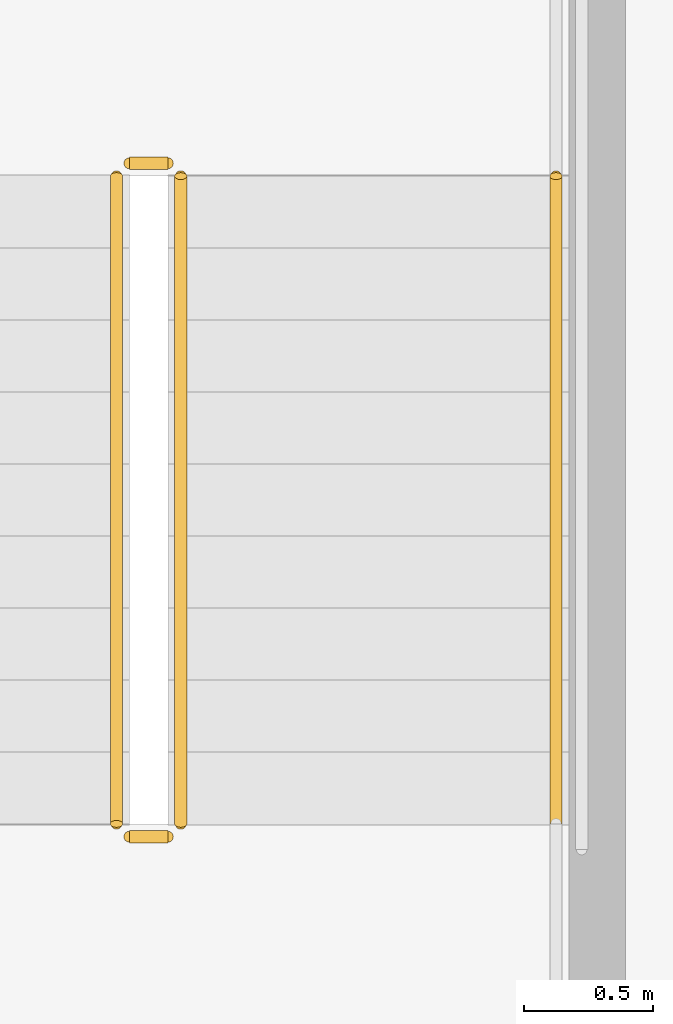
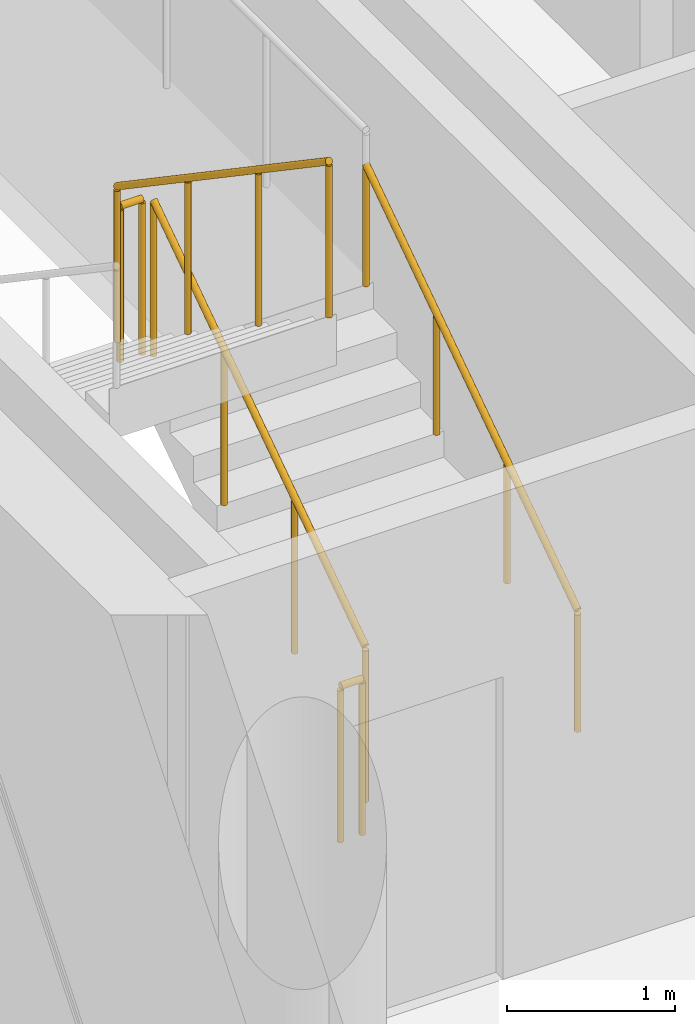
# One storey, part 14 of 16: 5 railings.
"""IFC4 building model written with IfcOpenShell, lengths in metres."""

from ifc_helpers import new_model, si_unit, direction, frame, origin, origin_2d, place, context, subcontext, project, spatial, circle, extrude, material, type_object, element, save


model = new_model("IFC4")

# Units and contexts
model_context = context("Model", 3, precision=1e-05, world=origin(), true_north=direction((0.0, 1.0)))
body_context = subcontext(model_context, "Body", "Model", "MODEL_VIEW")
ifc_project = project(units=[si_unit("LENGTHUNIT", "METRE"), si_unit("AREAUNIT", "SQUARE_METRE"), si_unit("VOLUMEUNIT", "CUBIC_METRE"), si_unit("PLANEANGLEUNIT", "RADIAN"), si_unit("MASSUNIT", "GRAM", prefix="KILO")], contexts=[model_context])

# Site, building, storey
site_placement = place(None, origin())
site = spatial("IfcSite", under=ifc_project, at=site_placement, CompositionType="ELEMENT")
building_placement = place(site_placement, origin())
building = spatial("IfcBuilding", under=site, at=building_placement, Name="Khairoan Windgate Tower", CompositionType="ELEMENT")
storey_placement = place(building_placement, frame((0.0, 0.0, 277.60009765625)))
storey = spatial("IfcBuildingStorey", under=building, at=storey_placement, Name="L66", CompositionType="ELEMENT", Elevation=277.60009765625)

# Railings
ifc_material_1 = material(Name="Anodised Bronze Aluminium 6063-T6", Category="aluminium")
railing_type_1 = type_object("IfcRailingType", Name="Stair Wall Handrail SHR-900", PredefinedType="HANDRAIL", material=ifc_material_1)
railing_1_placement = place(storey_placement, frame((-16.199951171875, 2.9599609375, 0.18994140625)))
element("IfcRailing", 1, at=railing_1_placement, inside=storey, type_object=railing_type_1, Name="L66 ST2 stair handrail 1", PredefinedType="HANDRAIL", context=body_context, shape_type="SweptSolid", body=[
    extrude(circle(Radius=0.02392578125, at=origin_2d()), frame((0.0, 0.0, 0.8759765625), z_axis=(0.0, 0.827483756001, 0.561489655786), x_axis=(-1.0, 0.0, 0.0)), (0.0, 0.0, 1.0), 3.04541015625),
    extrude(circle(Radius=0.02099609375, at=origin_2d()), origin(), (0.0, 0.0, 1.0), 0.851806640625),
    extrude(circle(Radius=0.02099609375, at=origin_2d()), frame((0.0, 0.840087890625, 0.570068359375)), (0.0, 0.0, 1.0), 0.851806640625),
    extrude(circle(Radius=0.02099609375, at=origin_2d()), frame((0.0, 1.679931640625, 1.139892578125)), (0.0, 0.0, 1.0), 0.851806640625),
    extrude(circle(Radius=0.02099609375, at=origin_2d()), frame((0.0, 2.52001953125, 1.7099609375)), (0.0, 0.0, 1.0), 0.851806640625),
])
ifc_material_2 = material(Name="Steel S355", Category="steel")
railing_type_2 = type_object("IfcRailingType", Name="Stairwell Safety Guardrail SGR-1150", PredefinedType="GUARDRAIL", material=ifc_material_2)
railing_2_placement = place(storey_placement, frame((-17.659912109375, 2.9599609375, 0.18994140625)))
element("IfcRailing", 2, at=railing_2_placement, inside=storey, type_object=railing_type_2, Name="L66 ST2 stair guard 1", PredefinedType="GUARDRAIL", context=body_context, shape_type="SweptSolid", body=[
    extrude(circle(Radius=0.02392578125, at=origin_2d()), frame((0.0, 0.0, 1.1259765625), z_axis=(0.0, 0.827483756001, 0.561489655786), x_axis=(-1.0, 0.0, 0.0)), (0.0, 0.0, 1.0), 3.04541015625),
    extrude(circle(Radius=0.02099609375, at=origin_2d()), origin(), (0.0, 0.0, 1.0), 1.101806640625),
    extrude(circle(Radius=0.02099609375, at=origin_2d()), frame((0.0, 0.840087890625, 0.570068359375)), (0.0, 0.0, 1.0), 1.101806640625),
    extrude(circle(Radius=0.02099609375, at=origin_2d()), frame((0.0, 1.679931640625, 1.139892578125)), (0.0, 0.0, 1.0), 1.101806640625),
    extrude(circle(Radius=0.02099609375, at=origin_2d()), frame((0.0, 2.52001953125, 1.7099609375)), (0.0, 0.0, 1.0), 1.101806640625),
])
railing_3_placement = place(storey_placement, frame((-17.7099609375, 5.530029296875, 1.89990234375)))
element("IfcRailing", 3, at=railing_3_placement, inside=storey, type_object=railing_type_2, Name="L66 ST2 stair guard 2", PredefinedType="GUARDRAIL", context=body_context, shape_type="SweptSolid", body=[
    extrude(circle(Radius=0.02392578125, at=origin_2d()), frame((0.0, 0.0, 1.1259765625), z_axis=(-1.0, 0.0, 0.0), x_axis=(0.0, -1.0, 0.0)), (0.0, 0.0, 1.0), 0.150146484375),
    extrude(circle(Radius=0.02099609375, at=origin_2d()), origin(), (0.0, 0.0, 1.0), 1.101806640625),
    extrude(circle(Radius=0.02099609375, at=origin_2d()), frame((-0.150146484375, 0.0, 0.0)), (0.0, 0.0, 1.0), 1.101806640625),
])
railing_4_placement = place(storey_placement, frame((-17.909912109375, 5.47998046875, 2.08984375)))
element("IfcRailing", 4, at=railing_4_placement, inside=storey, type_object=railing_type_2, Name="L66 ST2 stair guard 6", PredefinedType="GUARDRAIL", context=body_context, shape_type="SweptSolid", body=[
    extrude(circle(Radius=0.02392578125, at=origin_2d()), frame((0.0, 0.0, 1.1259765625), z_axis=(0.0, -0.827483756001, 0.561489655786), x_axis=(1.0, 0.0, 0.0)), (0.0, 0.0, 1.0), 3.04541015625),
    extrude(circle(Radius=0.02099609375, at=origin_2d()), origin(), (0.0, 0.0, 1.0), 1.101806640625),
    extrude(circle(Radius=0.02099609375, at=origin_2d()), frame((0.0, -0.840087890625, 0.570068359375)), (0.0, 0.0, 1.0), 1.101806640625),
    extrude(circle(Radius=0.02099609375, at=origin_2d()), frame((0.0, -1.679931640625, 1.139892578125)), (0.0, 0.0, 1.0), 1.101806640625),
    extrude(circle(Radius=0.02099609375, at=origin_2d()), frame((0.0, -2.52001953125, 1.7099609375)), (0.0, 0.0, 1.0), 1.101806640625),
])
railing_5_placement = place(storey_placement, frame((-17.7099609375, 2.909912109375, 0.0)))
element("IfcRailing", 5, at=railing_5_placement, inside=storey, type_object=railing_type_2, Name="L66 ST2 stair guard 7", PredefinedType="GUARDRAIL", context=body_context, shape_type="SweptSolid", body=[
    extrude(circle(Radius=0.02392578125, at=origin_2d()), frame((0.0, 0.0, 1.1259765625), z_axis=(-1.0, 0.0, 0.0), x_axis=(0.0, -1.0, 0.0)), (0.0, 0.0, 1.0), 0.150146484375),
    extrude(circle(Radius=0.02099609375, at=origin_2d()), origin(), (0.0, 0.0, 1.0), 1.101806640625),
    extrude(circle(Radius=0.02099609375, at=origin_2d()), frame((-0.150146484375, 0.0, 0.0)), (0.0, 0.0, 1.0), 1.101806640625),
])

save(model, "model.ifc")
